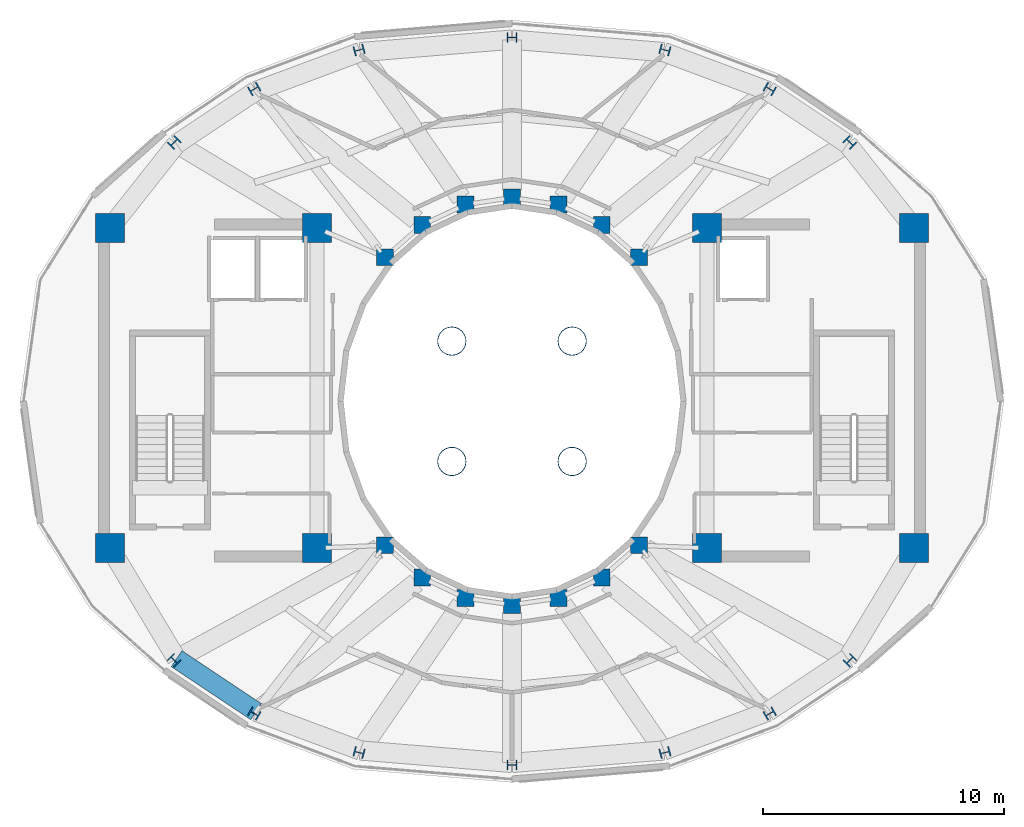
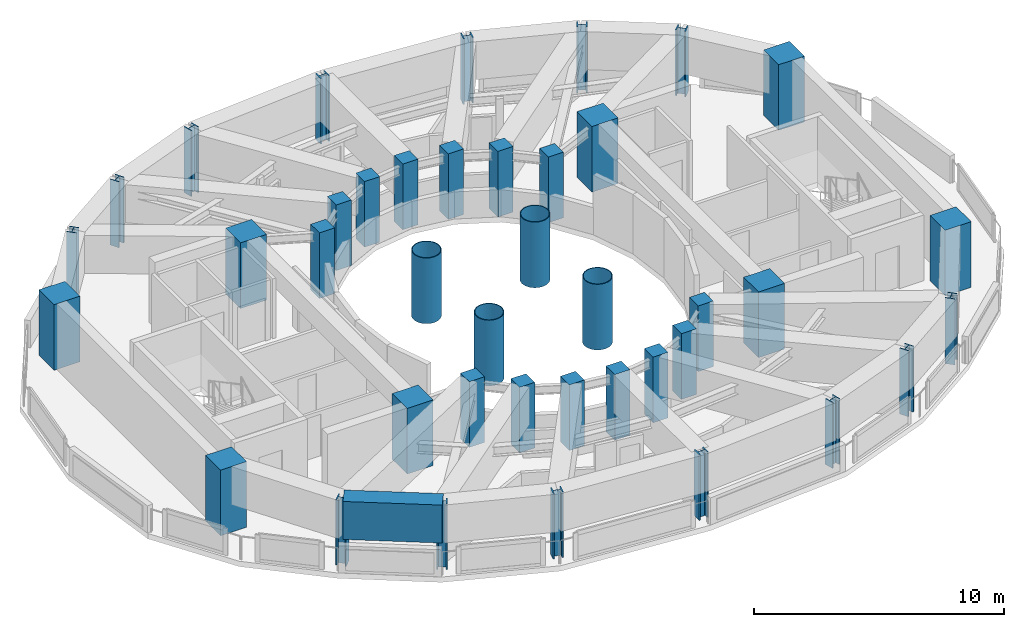
# One storey, part 1 of 17: 40 columns, 1 beam.
"""IFC4 building model written with IfcOpenShell, lengths in metres."""

from ifc_helpers import new_model, si_unit, direction, frame, origin, origin_2d, place, context, subcontext, project, spatial, rectangle, hollow_circle, i_section, extrude, material, material_profile, profile_set, type_object, element, save


model = new_model("IFC4")

# Units and contexts
model_context = context("Model", 3, precision=1e-05, world=origin(), true_north=direction((0.0, 1.0)))
body_context = subcontext(model_context, "Body", "Model", "MODEL_VIEW")
ifc_project = project(units=[si_unit("LENGTHUNIT", "METRE"), si_unit("AREAUNIT", "SQUARE_METRE"), si_unit("VOLUMEUNIT", "CUBIC_METRE"), si_unit("PLANEANGLEUNIT", "RADIAN"), si_unit("MASSUNIT", "GRAM", prefix="KILO")], contexts=[model_context])

# Site, building, storey
site_placement = place(None, origin())
site = spatial("IfcSite", under=ifc_project, at=site_placement, CompositionType="ELEMENT")
building_placement = place(site_placement, origin())
building = spatial("IfcBuilding", under=site, at=building_placement, Name="Solvane Sanctuary Tower", CompositionType="ELEMENT")
storey_placement = place(building_placement, frame((0.0, 0.0, 273.199951171875)))
storey = spatial("IfcBuildingStorey", under=building, at=storey_placement, Name="L83", CompositionType="ELEMENT", Elevation=273.199951171875)

# Columns
ifc_material_1 = material(Name="Steel ASTM A913 Grade 65", Category="steel")
ifc_material_profile_1 = material_profile(ifc_material_1, i_section(OverallWidth=0.412109375, OverallDepth=0.43505859375, WebThickness=0.035888671875, FlangeThickness=0.057373046875, FilletRadius=0.02490234375, at=origin_2d()), Name="W14X311")
ifc_profile_set_1 = profile_set([ifc_material_profile_1], Name="Steel ASTM A913 Grade 65")
column_type_1 = type_object("IfcColumnType", Name="Column C-CROWN W14X311", PredefinedType="COLUMN", material=ifc_profile_set_1)
for number, where, z_axis, x_axis, name in (
    (1, (46.03466796875, 33.758056640625, 0.0), (0.0, 0.0, 1.0), (0.707106781187, 0.707106781187, 0.0), "L83 Perimeter Tube Column TC01"),
    (2, (42.7080078125, 35.972900390625, 0.0), (0.0, 0.0, 1.0), (0.5, 0.866025403784, 0.0), "L83 Perimeter Tube Column TC02"),
    (3, (38.353515625, 37.59375, 0.0), (0.0, 0.0, 1.0), (0.258819045103, 0.965925826289, 0.0), "L83 Perimeter Tube Column TC03"),
    (4, (32.0, 38.115966796875, 0.0), (0.0, 0.0, 1.0), (0.0, 1.0, 0.0), "L83 Perimeter Tube Column TC04"),
    (5, (25.646484375, 37.59375, 0.0), (0.0, 0.0, 1.0), (-0.258819045103, 0.965925826289, 0.0), "L83 Perimeter Tube Column TC05"),
    (6, (21.2919921875, 35.972900390625, 0.0), (0.0, 0.0, 1.0), (-0.5, 0.866025403784, 0.0), "L83 Perimeter Tube Column TC06"),
    (7, (17.96533203125, 33.758056640625, 0.0), (0.0, 0.0, 1.0), (-0.707106781187, 0.707106781187, 0.0), "L83 Perimeter Tube Column TC07"),
    (8, (17.96533203125, 12.241943359375, 0.0), (0.0, 0.0, 1.0), (-0.707106781187, -0.707106781187, 0.0), "L83 Perimeter Tube Column TC08"),
    (9, (21.2919921875, 10.027099609375, 0.0), (0.0, 0.0, 1.0), (-0.5, -0.866025403784, 0.0), "L83 Perimeter Tube Column TC09"),
    (10, (25.646484375, 8.40625, 0.0), (0.0, 0.0, 1.0), (-0.258819045103, -0.965925826289, 0.0), "L83 Perimeter Tube Column TC10"),
    (11, (32.0, 7.884033203125, 0.0), (0.0, 0.0, 1.0), (0.0, -1.0, 0.0), "L83 Perimeter Tube Column TC11"),
    (12, (38.353515625, 8.40625, 0.0), (0.0, 0.0, 1.0), (0.258819045103, -0.965925826289, 0.0), "L83 Perimeter Tube Column TC12"),
    (13, (42.7080078125, 10.027099609375, 0.0), (0.0, 0.0, 1.0), (0.5, -0.866025403784, 0.0), "L83 Perimeter Tube Column TC13"),
    (14, (46.03466796875, 12.241943359375, 0.0), (0.0, 0.0, 1.0), (0.707106781187, -0.707106781187, 0.0), "L83 Perimeter Tube Column TC14"),
):
    element("IfcColumn", number, at=place(storey_placement, frame(where, z_axis=z_axis, x_axis=x_axis)), inside=storey, type_object=column_type_1, Name=name, PredefinedType="COLUMN", context=body_context, shape_type="SweptSolid", body=[
        extrude(i_section(OverallWidth=0.412109375, OverallDepth=0.43505859375, WebThickness=0.035888671875, FlangeThickness=0.057373046875, FilletRadius=0.02490234375, at=origin_2d()), origin(), (0.0, 0.0, 1.0), 3.199951171875),
    ])
ifc_material_2 = material(Name="Concrete C50/60", Category="concrete")
ifc_material_profile_2 = material_profile(ifc_material_2, rectangle(XDim=0.699951171875, YDim=0.699951171875, at=origin_2d()), Name="RC700X700")
ifc_profile_set_2 = profile_set([ifc_material_profile_2], Name="Concrete C50/60")
column_type_2 = type_object("IfcColumnType", Name="Column C-RING-Z4 RC700X700", PredefinedType="COLUMN", material=ifc_profile_set_2)
for number, where, z_axis, x_axis, name in (
    (15, (37.27490234375, 28.982177734375, 0.0), (0.0, 0.0, 1.0), (1.0, 0.0, 0.0), "L83 Inner Light-Well Ring Column IC01"),
    (16, (35.72998046875, 30.32666015625, 0.0), (0.0, 0.0, 1.0), (1.0, 0.0, 0.0), "L83 Inner Light-Well Ring Column IC02"),
    (17, (33.930908203125, 31.171630859375, 0.0), (0.0, 0.0, 1.0), (1.0, 0.0, 0.0), "L83 Inner Light-Well Ring Column IC03"),
    (18, (32.0, 31.4599609375, 0.0), (0.0, 0.0, 1.0), (1.0, 0.0, 0.0), "L83 Inner Light-Well Ring Column IC04"),
    (19, (30.069091796875, 31.171630859375, 0.0), (0.0, 0.0, 1.0), (1.0, 0.0, 0.0), "L83 Inner Light-Well Ring Column IC05"),
    (20, (28.27001953125, 30.32666015625, 0.0), (0.0, 0.0, 1.0), (1.0, 0.0, 0.0), "L83 Inner Light-Well Ring Column IC06"),
    (21, (26.72509765625, 28.982177734375, 0.0), (0.0, 0.0, 1.0), (1.0, 0.0, 0.0), "L83 Inner Light-Well Ring Column IC07"),
    (22, (26.72509765625, 17.017822265625, 0.0), (0.0, 0.0, 1.0), (1.0, 0.0, 0.0), "L83 Inner Light-Well Ring Column IC08"),
    (23, (28.27001953125, 15.67333984375, 0.0), (0.0, 0.0, 1.0), (1.0, 0.0, 0.0), "L83 Inner Light-Well Ring Column IC09"),
    (24, (30.069091796875, 14.828369140625, 0.0), (0.0, 0.0, 1.0), (1.0, 0.0, 0.0), "L83 Inner Light-Well Ring Column IC10"),
    (25, (32.0, 14.5400390625, 0.0), (0.0, 0.0, 1.0), (1.0, 0.0, 0.0), "L83 Inner Light-Well Ring Column IC11"),
    (26, (33.930908203125, 14.828369140625, 0.0), (0.0, 0.0, 1.0), (1.0, 0.0, 0.0), "L83 Inner Light-Well Ring Column IC12"),
    (27, (35.72998046875, 15.67333984375, 0.0), (0.0, 0.0, 1.0), (1.0, 0.0, 0.0), "L83 Inner Light-Well Ring Column IC13"),
    (28, (37.27490234375, 17.017822265625, 0.0), (0.0, 0.0, 1.0), (1.0, 0.0, 0.0), "L83 Inner Light-Well Ring Column IC14"),
):
    element("IfcColumn", number, at=place(storey_placement, frame(where, z_axis=z_axis, x_axis=x_axis)), inside=storey, type_object=column_type_2, Name=name, PredefinedType="COLUMN", context=body_context, shape_type="SweptSolid", body=[
        extrude(rectangle(XDim=0.699951171875, YDim=0.699951171875, at=origin_2d()), origin(), (0.0, 0.0, 1.0), 3.199951171875),
    ])
ifc_material_profile_3 = material_profile(ifc_material_1, hollow_circle(Radius=0.60009765625, WallThickness=0.031982421875, at=origin_2d()), Name="CHS1200X32")
ifc_profile_set_3 = profile_set([ifc_material_profile_3], Name="Steel ASTM A913 Grade 65")
column_type_3 = type_object("IfcColumnType", Name="Column C-SPIRE-L CHS1200X32", PredefinedType="PILASTER", material=ifc_profile_set_3)
for number, where, z_axis, x_axis, name in (
    (29, (29.5, 20.5, 0.0), (0.0, 0.0, 1.0), (1.0, 0.0, 0.0), "L83 Spire Lower Anchorage Pilaster Leg 1"),
    (30, (34.5, 20.5, 0.0), (0.0, 0.0, 1.0), (1.0, 0.0, 0.0), "L83 Spire Lower Anchorage Pilaster Leg 2"),
    (31, (34.5, 25.5, 0.0), (0.0, 0.0, 1.0), (1.0, 0.0, 0.0), "L83 Spire Lower Anchorage Pilaster Leg 3"),
    (32, (29.5, 25.5, 0.0), (0.0, 0.0, 1.0), (1.0, 0.0, 0.0), "L83 Spire Lower Anchorage Pilaster Leg 4"),
):
    element("IfcColumn", number, at=place(storey_placement, frame(where, z_axis=z_axis, x_axis=x_axis)), inside=storey, type_object=column_type_3, Name=name, PredefinedType="PILASTER", context=body_context, shape_type="SweptSolid", body=[
        extrude(hollow_circle(Radius=0.60009765625, WallThickness=0.031982421875, at=origin_2d()), origin(), (0.0, 0.0, 1.0), 3.199951171875),
    ])
ifc_material_3 = material(Name="Concrete C70/85", Category="concrete")
ifc_material_profile_4 = material_profile(ifc_material_3, rectangle(XDim=1.199951171875, YDim=1.199951171875, at=origin_2d()), Name="RC1200X1200")
ifc_profile_set_4 = profile_set([ifc_material_profile_4], Name="Concrete C70/85")
column_type_4 = type_object("IfcColumnType", Name="Column C-TUBE-Z1 RC1200X1200", PredefinedType="COLUMN", material=ifc_profile_set_4)
for number, where, z_axis, x_axis, name in (
    (33, (15.300048828125, 16.89990234375, 0.0), (0.0, 0.0, 1.0), (1.0, 0.0, 0.0), "L83 Core Corner Column CW1"),
    (34, (23.89990234375, 16.89990234375, 0.0), (0.0, 0.0, 1.0), (1.0, 0.0, 0.0), "L83 Core Corner Column CW2"),
    (35, (23.89990234375, 30.199951171875, 0.0), (0.0, 0.0, 1.0), (1.0, 0.0, 0.0), "L83 Core Corner Column CW3"),
    (36, (15.300048828125, 30.199951171875, 0.0), (0.0, 0.0, 1.0), (1.0, 0.0, 0.0), "L83 Core Corner Column CW4"),
    (37, (40.10009765625, 16.89990234375, 0.0), (0.0, 0.0, 1.0), (1.0, 0.0, 0.0), "L83 Core Corner Column CE1"),
    (38, (48.699951171875, 16.89990234375, 0.0), (0.0, 0.0, 1.0), (1.0, 0.0, 0.0), "L83 Core Corner Column CE2"),
    (39, (48.699951171875, 30.199951171875, 0.0), (0.0, 0.0, 1.0), (1.0, 0.0, 0.0), "L83 Core Corner Column CE3"),
    (40, (40.10009765625, 30.199951171875, 0.0), (0.0, 0.0, 1.0), (1.0, 0.0, 0.0), "L83 Core Corner Column CE4"),
):
    element("IfcColumn", number, at=place(storey_placement, frame(where, z_axis=z_axis, x_axis=x_axis)), inside=storey, type_object=column_type_4, Name=name, PredefinedType="COLUMN", context=body_context, shape_type="SweptSolid", body=[
        extrude(rectangle(XDim=1.199951171875, YDim=1.199951171875, at=origin_2d()), origin(), (0.0, 0.0, 1.0), 3.199951171875),
    ])

# Beam
ifc_material_profile_5 = material_profile(ifc_material_3, rectangle(XDim=0.800048828125, YDim=1.85009765625, at=origin_2d()), Name="RC800X1850")
ifc_profile_set_5 = profile_set([ifc_material_profile_5], Name="Concrete C70/85")
beam_type = type_object("IfcBeamType", Name="Beam B-XFER-BLK RC800X1850", PredefinedType="BEAM", material=ifc_profile_set_5)
beam_placement = place(storey_placement, frame((18.06494140625, 12.306884765625, 2.275146484375), z_axis=(0.832059756054, -0.554686003389, 0.0), x_axis=(0.554686003389, 0.832059756054, 0.0)))
element("IfcBeam", 41, at=beam_placement, inside=storey, type_object=beam_type, Name="L83 Perimeter Step Transfer Ring NTC08-NTC09", PredefinedType="BEAM", context=body_context, shape_type="SweptSolid", body=[
    extrude(rectangle(XDim=0.800048828125, YDim=1.85009765625, at=origin_2d()), origin(), (0.0, 0.0, 1.0), 3.9697265625),
])

save(model, "model.ifc")
